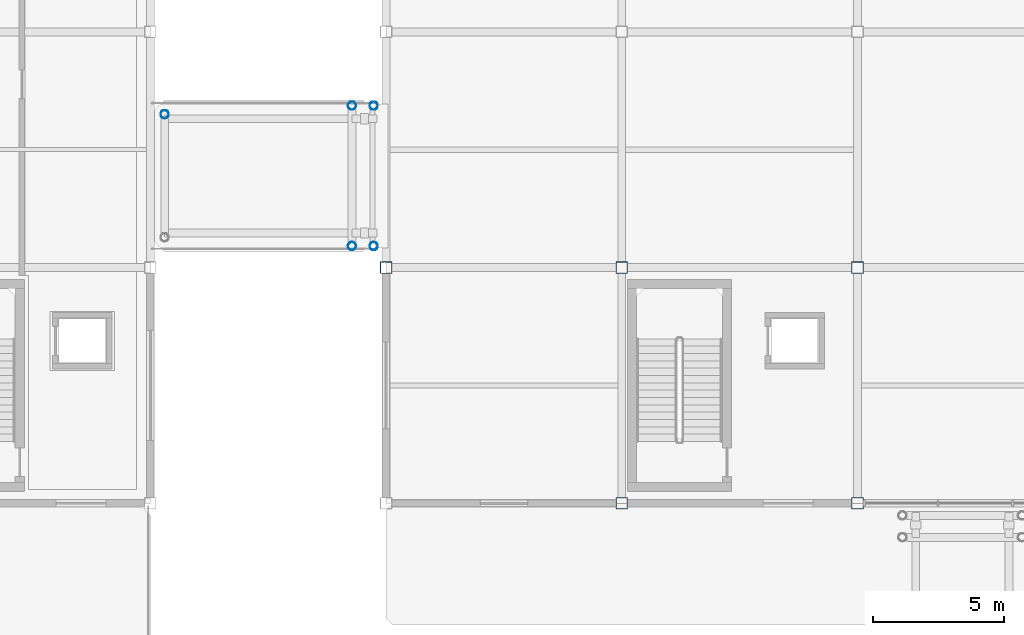
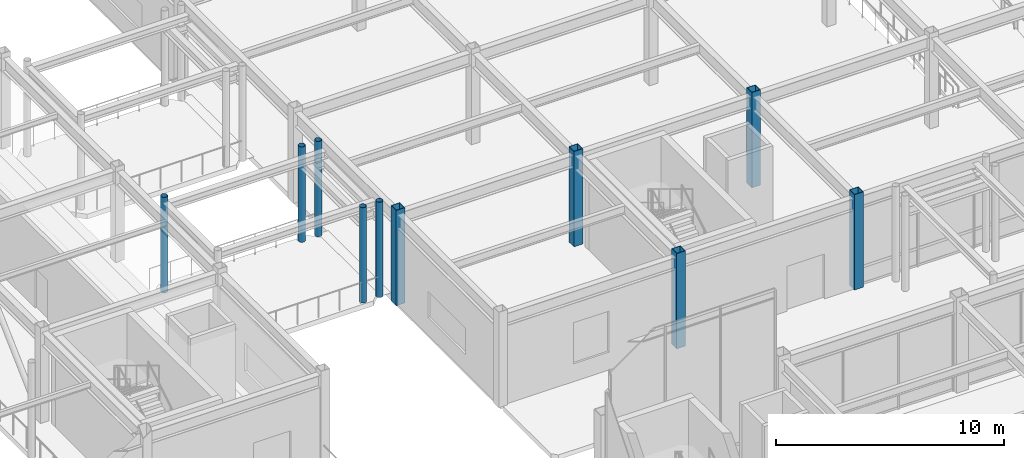
# One storey, part 15 of 123: 10 columns.
"""IFC4 building model written with IfcOpenShell, lengths in metres."""

from ifc_helpers import new_model, si_unit, direction, frame, origin, origin_2d, place, context, subcontext, project, spatial, hollow_rectangle, hollow_circle, extrude, material, material_profile, profile_set, type_object, element, save


model = new_model("IFC4")

# Units and contexts
model_context = context("Model", 3, precision=1e-05, world=origin(), true_north=direction((0.0, 1.0)))
body_context = subcontext(model_context, "Body", "Model", "MODEL_VIEW")
ifc_project = project(units=[si_unit("LENGTHUNIT", "METRE"), si_unit("AREAUNIT", "SQUARE_METRE"), si_unit("VOLUMEUNIT", "CUBIC_METRE"), si_unit("PLANEANGLEUNIT", "RADIAN"), si_unit("MASSUNIT", "GRAM", prefix="KILO")], contexts=[model_context])

# Site, building, storey
site_placement = place(None, origin())
site = spatial("IfcSite", under=ifc_project, at=site_placement, CompositionType="ELEMENT")
building_placement = place(site_placement, origin())
building = spatial("IfcBuilding", under=site, at=building_placement, Name="Suzunagisa Mobility Hub", CompositionType="ELEMENT")
storey_placement = place(building_placement, origin())
storey = spatial("IfcBuildingStorey", under=building, at=storey_placement, Name="L00", CompositionType="ELEMENT", Elevation=0.0)

# Columns
ifc_material = material(Name="Steel SN490B", Category="steel")
ifc_material_profile_1 = material_profile(ifc_material, hollow_circle(Radius=0.1591796875, WallThickness=0.01025390625, at=origin_2d()), Name="CHS-318.5x10.3")
ifc_profile_set_1 = profile_set([ifc_material_profile_1], Name="Steel SN490B")
column_type_1 = type_object("IfcColumnType", Name="Steel Column CL-09 CHS-318.5x10.3", PredefinedType="COLUMN", material=ifc_profile_set_1)
for number, where, z_axis, x_axis, name in (
    (1, (36.550048828125, 94.85009765625, 0.0), (0.0, 0.0, 1.0), (1.0, 0.0, 0.0), "L00 Column 93"),
    (2, (43.699951171875, 89.820068359375, 0.0), (0.0, 0.0, 1.0), (1.0, 0.0, 0.0), "L00 Column 105"),
    (3, (43.699951171875, 95.179931640625, 0.0), (0.0, 0.0, 1.0), (1.0, 0.0, 0.0), "L00 Column 106"),
    (4, (44.530029296875, 89.820068359375, 0.0), (0.0, 0.0, 1.0), (1.0, 0.0, 0.0), "L00 Column 111"),
    (5, (44.530029296875, 95.179931640625, 0.0), (0.0, 0.0, 1.0), (1.0, 0.0, 0.0), "L00 Column 112"),
):
    element("IfcColumn", number, at=place(storey_placement, frame(where, z_axis=z_axis, x_axis=x_axis)), inside=storey, type_object=column_type_1, Name=name, PredefinedType="COLUMN", context=body_context, shape_type="SweptSolid", body=[
        extrude(hollow_circle(Radius=0.1591796875, WallThickness=0.01025390625, at=origin_2d()), origin(), (0.0, 0.0, 1.0), 5.10009765625),
    ])
ifc_material_profile_2 = material_profile(ifc_material, hollow_rectangle(XDim=0.449951171875, YDim=0.449951171875, WallThickness=0.02197265625, at=origin_2d()), Name="BCR-450x450x22")
ifc_profile_set_2 = profile_set([ifc_material_profile_2], Name="Steel SN490B")
column_type_2 = type_object("IfcColumnType", Name="Steel Column CL-17 BCR-450x450x22", PredefinedType="COLUMN", material=ifc_profile_set_2)
for number, where, z_axis, x_axis, name in (
    (6, (45.0, 89.0, 0.0), (0.0, 0.0, 1.0), (1.0, 0.0, 0.0), "L00 Column 119"),
    (7, (54.0, 80.0, 0.0), (0.0, 0.0, 1.0), (1.0, 0.0, 0.0), "L00 Column 129"),
    (8, (54.0, 89.0, 0.0), (0.0, 0.0, 1.0), (1.0, 0.0, 0.0), "L00 Column 130"),
    (9, (63.0, 80.0, 0.0), (0.0, 0.0, 1.0), (1.0, 0.0, 0.0), "L00 Column 138"),
    (10, (63.0, 89.0, 0.0), (0.0, 0.0, 1.0), (1.0, 0.0, 0.0), "L00 Column 139"),
):
    element("IfcColumn", number, at=place(storey_placement, frame(where, z_axis=z_axis, x_axis=x_axis)), inside=storey, type_object=column_type_2, Name=name, PredefinedType="COLUMN", context=body_context, shape_type="SweptSolid", body=[
        extrude(hollow_rectangle(XDim=0.449951171875, YDim=0.449951171875, WallThickness=0.02197265625, at=origin_2d()), origin(), (0.0, 0.0, 1.0), 5.10009765625),
    ])

save(model, "model.ifc")
